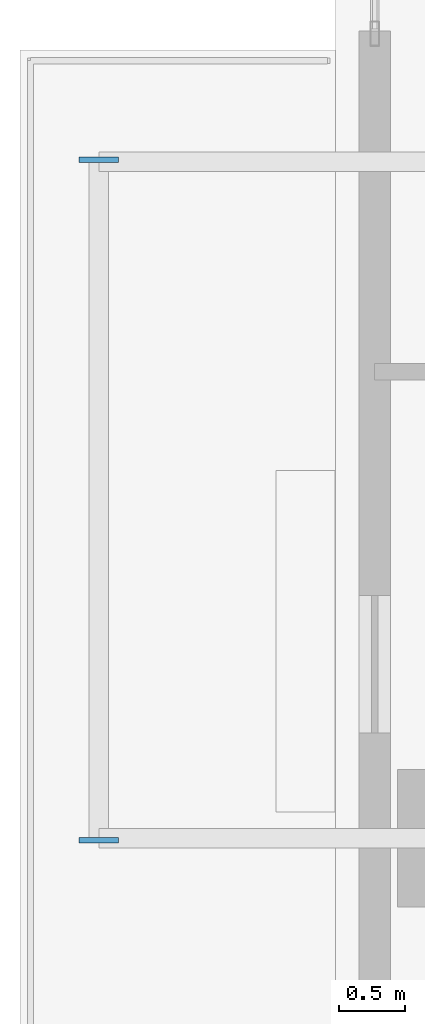
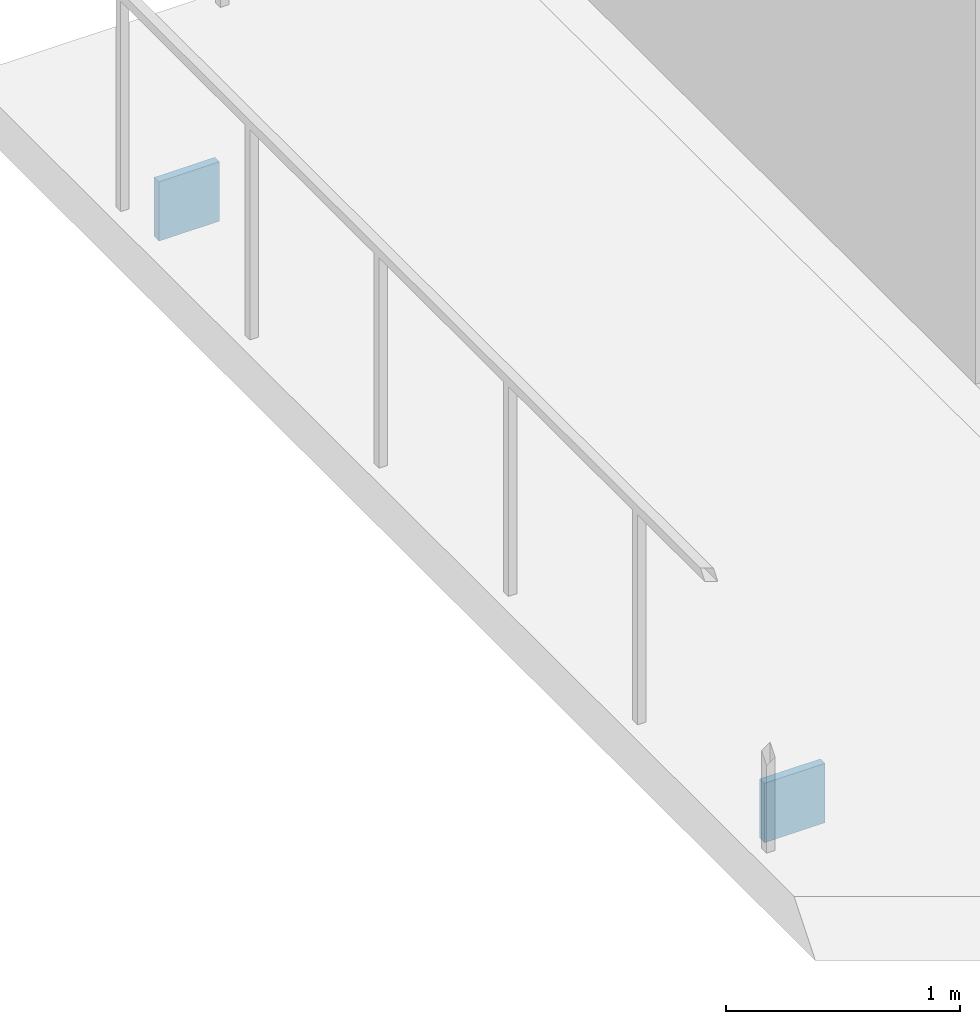
# One storey, part 18 of 25: 2 plates.
"""IFC4 building model written with IfcOpenShell, lengths in metres."""

from ifc_helpers import new_model, si_unit, direction, frame, origin, origin_2d, place, context, subcontext, project, spatial, rectangle, extrude, material, layer, layer_set, type_object, element, save


model = new_model("IFC4")

# Units and contexts
model_context = context("Model", 3, precision=1e-05, world=origin(), true_north=direction((0.0, 1.0)))
body_context = subcontext(model_context, "Body", "Model", "MODEL_VIEW")
ifc_project = project(units=[si_unit("LENGTHUNIT", "METRE"), si_unit("AREAUNIT", "SQUARE_METRE"), si_unit("VOLUMEUNIT", "CUBIC_METRE"), si_unit("PLANEANGLEUNIT", "RADIAN"), si_unit("MASSUNIT", "GRAM", prefix="KILO"), si_unit("THERMODYNAMICTEMPERATUREUNIT", "KELVIN"), si_unit("POWERUNIT", "WATT")], contexts=[model_context])

# Site, building, storey
site_placement = place(None, origin())
site = spatial("IfcSite", under=ifc_project, at=site_placement, CompositionType="ELEMENT")
building_placement = place(site_placement, origin())
building = spatial("IfcBuilding", under=site, at=building_placement, Name="Svarakhadi Broadcast Tower", CompositionType="ELEMENT")
storey_placement = place(building_placement, frame((0.0, 0.0, 216.14990234375)))
storey = spatial("IfcBuildingStorey", under=building, at=storey_placement, Name="L53", CompositionType="ELEMENT", Elevation=216.14990234375)

# Plates
ifc_material = material(Name="Steel S460ML (IS 2062 E450BR)", Category="steel")
ifc_layer = layer(ifc_material, 0.028076171875)
ifc_layer_set = layer_set([ifc_layer], Name="Steel S460ML (IS 2062 E450BR)")
plate_type = type_object("IfcPlateType", Name="Cap_Plate_CP02", PredefinedType="USERDEFINED", material=ifc_layer_set)
for number, where, z_axis, x_axis, name in (
    (1, (-1.800048828125, 23.985107421875, -0.5048828125), (0.0, 0.0, 1.0), (1.0, 0.0, 0.0), "L53 Balcony Spandrel End Cap Plate 2F-A"),
    (2, (-1.800048828125, 29.1650390625, -0.5048828125), (0.0, 0.0, 1.0), (1.0, 0.0, 0.0), "L53 Balcony Spandrel End Cap Plate 2F-B"),
):
    element("IfcPlate", number, at=place(storey_placement, frame(where, z_axis=z_axis, x_axis=x_axis)), inside=storey, type_object=plate_type, Name=name, ObjectType="FLANGE_PLATE", PredefinedType="USERDEFINED", context=body_context, shape_type="SweptSolid", body=[
        extrude(rectangle(XDim=0.300048828125, YDim=0.0400390625, at=origin_2d()), origin(), (0.0, 0.0, 1.0), 0.31005859375),
    ])

save(model, "model.ifc")
